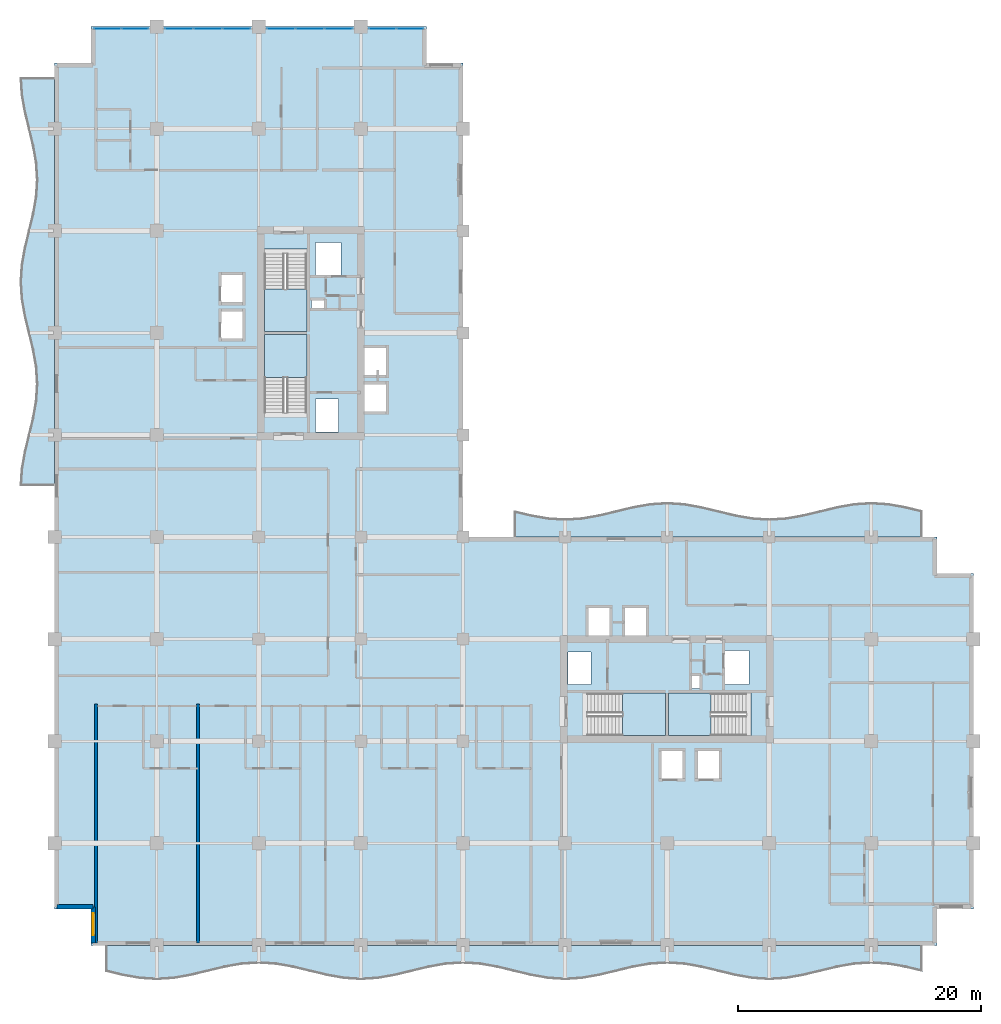
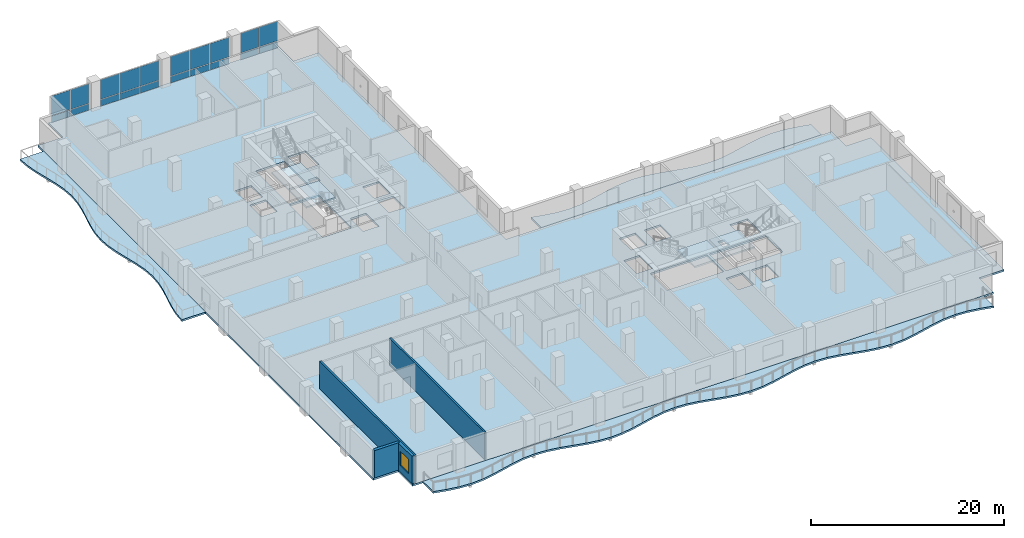
# One storey, part 6 of 18: 20 plates, 8 slabs, 4 walls, 1 window, 1 opening, 8 elements without a shape of their own.
"""IFC4 building model written with IfcOpenShell, lengths in metres."""

from ifc_helpers import new_model, si_unit, direction, frame, frame_2d, origin, origin_2d, place, context, subcontext, project, spatial, polyline, rectangle, outline, extrude, material, layer, layer_set, type_object, element, fill, aggregate, save


model = new_model("IFC4")

# Units and contexts
model_context = context("Model", 3, precision=1e-05, world=origin(), true_north=direction((0.0, 1.0)))
body_context = subcontext(model_context, "Body", "Model", "MODEL_VIEW")
ifc_project = project(units=[si_unit("LENGTHUNIT", "METRE"), si_unit("AREAUNIT", "SQUARE_METRE"), si_unit("VOLUMEUNIT", "CUBIC_METRE"), si_unit("PLANEANGLEUNIT", "RADIAN"), si_unit("MASSUNIT", "GRAM", prefix="KILO")], contexts=[model_context])

# Site, building, storey
site_placement = place(None, origin())
site = spatial("IfcSite", under=ifc_project, at=site_placement, CompositionType="ELEMENT")
building_placement = place(site_placement, origin())
building = spatial("IfcBuilding", under=site, at=building_placement, Name="Koriwani Terraces Tower", CompositionType="ELEMENT")
storey_placement = place(building_placement, frame((0.0, 0.0, 205.0)))
storey = spatial("IfcBuildingStorey", under=building, at=storey_placement, Name="L50", CompositionType="ELEMENT", Elevation=205.0)

# Curtain wall, plates
ifc_material_1 = material(Name="Anodised Bronze Aluminium", Category="aluminium")
ifc_layer_1 = layer(ifc_material_1, 0.169921875, Name="Anodised Bronze Aluminium")
ifc_layer_set_1 = layer_set([ifc_layer_1], Name="Anodised Bronze Aluminium")
curtain_wall_type = type_object("IfcCurtainWallType", Name="CW_RES_ZONE3", PredefinedType="NOTDEFINED", material=ifc_layer_set_1)
curtain_wall_1_placement = place(storey_placement, origin())
curtain_wall_1 = element("IfcCurtainWall", 1, at=curtain_wall_1_placement, inside=storey, type_object=curtain_wall_type, Name="L50 Unitised Curtain Wall (N_TIP) Bay 1", PredefinedType="NOTDEFINED")
ifc_material_2 = material(Name="Tempered Laminated Low-E Glass", Category="glass")
ifc_layer_2 = layer(ifc_material_2, 0.028076171875, Name="Tempered Laminated Low-E Glass")
ifc_layer_set_2 = layer_set([ifc_layer_2], Name="Tempered Laminated Low-E Glass")
plate_type = type_object("IfcPlateType", Name="CW_PANEL_VISION_28", PredefinedType="CURTAIN_PANEL", material=ifc_layer_set_2)
plate_1_placement = place(storey_placement, frame((4.347412109375, 75.425048828125, 0.06494140625), z_axis=(0.0, 0.0, 1.0), x_axis=(1.0, 0.0, 0.0)))
plate_1 = element("IfcPlate", 2, at=plate_1_placement, type_object=plate_type, Name="CW-Z3 panel 1.1", PredefinedType="CURTAIN_PANEL", context=body_context, shape_type="SweptSolid", body=[
    extrude(rectangle(XDim=2.195068359375, YDim=0.028076171875, at=origin_2d()), origin(), (0.0, 0.0, 1.0), 0.802490234375),
])
plate_2_placement = place(storey_placement, frame((4.347412109375, 75.425048828125, 0.9326171875), z_axis=(0.0, 0.0, 1.0), x_axis=(1.0, 0.0, 0.0)))
plate_2 = element("IfcPlate", 3, at=plate_2_placement, type_object=plate_type, Name="CW-Z3 panel 1.2", PredefinedType="CURTAIN_PANEL", context=body_context, shape_type="SweptSolid", body=[
    extrude(rectangle(XDim=2.195068359375, YDim=0.028076171875, at=origin_2d()), origin(), (0.0, 0.0, 1.0), 2.472412109375),
])
plate_3_placement = place(storey_placement, frame((6.617431640625, 75.425048828125, 0.06494140625), z_axis=(0.0, 0.0, 1.0), x_axis=(1.0, 0.0, 0.0)))
plate_3 = element("IfcPlate", 4, at=plate_3_placement, type_object=plate_type, Name="CW-Z3 panel 2.1", PredefinedType="CURTAIN_PANEL", context=body_context, shape_type="SweptSolid", body=[
    extrude(rectangle(XDim=2.195068359375, YDim=0.028076171875, at=origin_2d()), origin(), (0.0, 0.0, 1.0), 0.802490234375),
])
plate_4_placement = place(storey_placement, frame((6.617431640625, 75.425048828125, 0.9326171875), z_axis=(0.0, 0.0, 1.0), x_axis=(1.0, 0.0, 0.0)))
plate_4 = element("IfcPlate", 5, at=plate_4_placement, type_object=plate_type, Name="CW-Z3 panel 2.2", PredefinedType="CURTAIN_PANEL", context=body_context, shape_type="SweptSolid", body=[
    extrude(rectangle(XDim=2.195068359375, YDim=0.028076171875, at=origin_2d()), origin(), (0.0, 0.0, 1.0), 2.472412109375),
])
aggregate(curtain_wall_1, [plate_1, plate_2, plate_3, plate_4])

curtain_wall_2_placement = place(storey_placement, origin())
curtain_wall_2 = element("IfcCurtainWall", 6, at=curtain_wall_2_placement, inside=storey, type_object=curtain_wall_type, Name="L50 Unitised Curtain Wall (N_TIP) Bay 2", PredefinedType="NOTDEFINED")
plate_5_placement = place(storey_placement, frame((10.225341796875, 75.425048828125, 0.06494140625), z_axis=(0.0, 0.0, 1.0), x_axis=(1.0, 0.0, 0.0)))
plate_5 = element("IfcPlate", 7, at=plate_5_placement, type_object=plate_type, Name="CW-Z3 panel 1.1", PredefinedType="CURTAIN_PANEL", context=body_context, shape_type="SweptSolid", body=[
    extrude(rectangle(XDim=2.28076171875, YDim=0.028076171875, at=origin_2d()), origin(), (0.0, 0.0, 1.0), 0.802490234375),
])
plate_6_placement = place(storey_placement, frame((10.225341796875, 75.425048828125, 0.9326171875), z_axis=(0.0, 0.0, 1.0), x_axis=(1.0, 0.0, 0.0)))
plate_6 = element("IfcPlate", 8, at=plate_6_placement, type_object=plate_type, Name="CW-Z3 panel 1.2", PredefinedType="CURTAIN_PANEL", context=body_context, shape_type="SweptSolid", body=[
    extrude(rectangle(XDim=2.28076171875, YDim=0.028076171875, at=origin_2d()), origin(), (0.0, 0.0, 1.0), 2.472412109375),
])
plate_7_placement = place(storey_placement, frame((12.60009765625, 75.425048828125, 0.06494140625), z_axis=(0.0, 0.0, 1.0), x_axis=(1.0, 0.0, 0.0)))
plate_7 = element("IfcPlate", 9, at=plate_7_placement, type_object=plate_type, Name="CW-Z3 panel 2.1", PredefinedType="CURTAIN_PANEL", context=body_context, shape_type="SweptSolid", body=[
    extrude(rectangle(XDim=2.318359375, YDim=0.028076171875, at=origin_2d()), origin(), (0.0, 0.0, 1.0), 0.802490234375),
])
plate_8_placement = place(storey_placement, frame((12.60009765625, 75.425048828125, 0.9326171875), z_axis=(0.0, 0.0, 1.0), x_axis=(1.0, 0.0, 0.0)))
plate_8 = element("IfcPlate", 10, at=plate_8_placement, type_object=plate_type, Name="CW-Z3 panel 2.2", PredefinedType="CURTAIN_PANEL", context=body_context, shape_type="SweptSolid", body=[
    extrude(rectangle(XDim=2.318359375, YDim=0.028076171875, at=origin_2d()), origin(), (0.0, 0.0, 1.0), 2.472412109375),
])
plate_9_placement = place(storey_placement, frame((14.974609375, 75.425048828125, 0.06494140625), z_axis=(0.0, 0.0, 1.0), x_axis=(1.0, 0.0, 0.0)))
plate_9 = element("IfcPlate", 11, at=plate_9_placement, type_object=plate_type, Name="CW-Z3 panel 3.1", PredefinedType="CURTAIN_PANEL", context=body_context, shape_type="SweptSolid", body=[
    extrude(rectangle(XDim=2.28076171875, YDim=0.028076171875, at=origin_2d()), origin(), (0.0, 0.0, 1.0), 0.802490234375),
])
plate_10_placement = place(storey_placement, frame((14.974609375, 75.425048828125, 0.9326171875), z_axis=(0.0, 0.0, 1.0), x_axis=(1.0, 0.0, 0.0)))
plate_10 = element("IfcPlate", 12, at=plate_10_placement, type_object=plate_type, Name="CW-Z3 panel 3.2", PredefinedType="CURTAIN_PANEL", context=body_context, shape_type="SweptSolid", body=[
    extrude(rectangle(XDim=2.28076171875, YDim=0.028076171875, at=origin_2d()), origin(), (0.0, 0.0, 1.0), 2.472412109375),
])
aggregate(curtain_wall_2, [plate_5, plate_6, plate_7, plate_8, plate_9, plate_10])

curtain_wall_3_placement = place(storey_placement, origin())
curtain_wall_3 = element("IfcCurtainWall", 13, at=curtain_wall_3_placement, inside=storey, type_object=curtain_wall_type, Name="L50 Unitised Curtain Wall (N_TIP) Bay 3", PredefinedType="NOTDEFINED")
plate_11_placement = place(storey_placement, frame((18.62548828125, 75.425048828125, 0.06494140625), z_axis=(0.0, 0.0, 1.0), x_axis=(1.0, 0.0, 0.0)))
plate_11 = element("IfcPlate", 14, at=plate_11_placement, type_object=plate_type, Name="CW-Z3 panel 1.1", PredefinedType="CURTAIN_PANEL", context=body_context, shape_type="SweptSolid", body=[
    extrude(rectangle(XDim=2.28076171875, YDim=0.028076171875, at=origin_2d()), origin(), (0.0, 0.0, 1.0), 0.802490234375),
])
plate_12_placement = place(storey_placement, frame((18.62548828125, 75.425048828125, 0.9326171875), z_axis=(0.0, 0.0, 1.0), x_axis=(1.0, 0.0, 0.0)))
plate_12 = element("IfcPlate", 15, at=plate_12_placement, type_object=plate_type, Name="CW-Z3 panel 1.2", PredefinedType="CURTAIN_PANEL", context=body_context, shape_type="SweptSolid", body=[
    extrude(rectangle(XDim=2.28076171875, YDim=0.028076171875, at=origin_2d()), origin(), (0.0, 0.0, 1.0), 2.472412109375),
])
plate_13_placement = place(storey_placement, frame((21.0, 75.425048828125, 0.06494140625), z_axis=(0.0, 0.0, 1.0), x_axis=(1.0, 0.0, 0.0)))
plate_13 = element("IfcPlate", 16, at=plate_13_placement, type_object=plate_type, Name="CW-Z3 panel 2.1", PredefinedType="CURTAIN_PANEL", context=body_context, shape_type="SweptSolid", body=[
    extrude(rectangle(XDim=2.318359375, YDim=0.028076171875, at=origin_2d()), origin(), (0.0, 0.0, 1.0), 0.802490234375),
])
plate_14_placement = place(storey_placement, frame((21.0, 75.425048828125, 0.9326171875), z_axis=(0.0, 0.0, 1.0), x_axis=(1.0, 0.0, 0.0)))
plate_14 = element("IfcPlate", 17, at=plate_14_placement, type_object=plate_type, Name="CW-Z3 panel 2.2", PredefinedType="CURTAIN_PANEL", context=body_context, shape_type="SweptSolid", body=[
    extrude(rectangle(XDim=2.318359375, YDim=0.028076171875, at=origin_2d()), origin(), (0.0, 0.0, 1.0), 2.472412109375),
])
plate_15_placement = place(storey_placement, frame((23.37451171875, 75.425048828125, 0.06494140625), z_axis=(0.0, 0.0, 1.0), x_axis=(1.0, 0.0, 0.0)))
plate_15 = element("IfcPlate", 18, at=plate_15_placement, type_object=plate_type, Name="CW-Z3 panel 3.1", PredefinedType="CURTAIN_PANEL", context=body_context, shape_type="SweptSolid", body=[
    extrude(rectangle(XDim=2.28076171875, YDim=0.028076171875, at=origin_2d()), origin(), (0.0, 0.0, 1.0), 0.802490234375),
])
plate_16_placement = place(storey_placement, frame((23.37451171875, 75.425048828125, 0.9326171875), z_axis=(0.0, 0.0, 1.0), x_axis=(1.0, 0.0, 0.0)))
plate_16 = element("IfcPlate", 19, at=plate_16_placement, type_object=plate_type, Name="CW-Z3 panel 3.2", PredefinedType="CURTAIN_PANEL", context=body_context, shape_type="SweptSolid", body=[
    extrude(rectangle(XDim=2.28076171875, YDim=0.028076171875, at=origin_2d()), origin(), (0.0, 0.0, 1.0), 2.472412109375),
])
aggregate(curtain_wall_3, [plate_11, plate_12, plate_13, plate_14, plate_15, plate_16])

curtain_wall_4_placement = place(storey_placement, origin())
curtain_wall_4 = element("IfcCurtainWall", 20, at=curtain_wall_4_placement, inside=storey, type_object=curtain_wall_type, Name="L50 Unitised Curtain Wall (N_TIP) Bay 4", PredefinedType="NOTDEFINED")
plate_17_placement = place(storey_placement, frame((26.982421875, 75.425048828125, 0.06494140625), z_axis=(0.0, 0.0, 1.0), x_axis=(1.0, 0.0, 0.0)))
plate_17 = element("IfcPlate", 21, at=plate_17_placement, type_object=plate_type, Name="CW-Z3 panel 1.1", PredefinedType="CURTAIN_PANEL", context=body_context, shape_type="SweptSolid", body=[
    extrude(rectangle(XDim=2.195068359375, YDim=0.028076171875, at=origin_2d()), origin(), (0.0, 0.0, 1.0), 0.802490234375),
])
plate_18_placement = place(storey_placement, frame((26.982421875, 75.425048828125, 0.9326171875), z_axis=(0.0, 0.0, 1.0), x_axis=(1.0, 0.0, 0.0)))
plate_18 = element("IfcPlate", 22, at=plate_18_placement, type_object=plate_type, Name="CW-Z3 panel 1.2", PredefinedType="CURTAIN_PANEL", context=body_context, shape_type="SweptSolid", body=[
    extrude(rectangle(XDim=2.195068359375, YDim=0.028076171875, at=origin_2d()), origin(), (0.0, 0.0, 1.0), 2.472412109375),
])
plate_19_placement = place(storey_placement, frame((29.25244140625, 75.425048828125, 0.06494140625), z_axis=(0.0, 0.0, 1.0), x_axis=(1.0, 0.0, 0.0)))
plate_19 = element("IfcPlate", 23, at=plate_19_placement, type_object=plate_type, Name="CW-Z3 panel 2.1", PredefinedType="CURTAIN_PANEL", context=body_context, shape_type="SweptSolid", body=[
    extrude(rectangle(XDim=2.195068359375, YDim=0.028076171875, at=origin_2d()), origin(), (0.0, 0.0, 1.0), 0.802490234375),
])
plate_20_placement = place(storey_placement, frame((29.25244140625, 75.425048828125, 0.9326171875), z_axis=(0.0, 0.0, 1.0), x_axis=(1.0, 0.0, 0.0)))
plate_20 = element("IfcPlate", 24, at=plate_20_placement, type_object=plate_type, Name="CW-Z3 panel 2.2", PredefinedType="CURTAIN_PANEL", context=body_context, shape_type="SweptSolid", body=[
    extrude(rectangle(XDim=2.195068359375, YDim=0.028076171875, at=origin_2d()), origin(), (0.0, 0.0, 1.0), 2.472412109375),
])
aggregate(curtain_wall_4, [plate_17, plate_18, plate_19, plate_20])

# Slabs
ifc_material_3 = material(Name="Concrete C40/50", Category="concrete")
ifc_layer_3 = layer(ifc_material_3, 0.219970703125, Name="Concrete C40/50")
ifc_layer_set_3 = layer_set([ifc_layer_3], Name="Concrete C40/50")
slab_type_1 = type_object("IfcSlabType", Name="SLAB_BALCONY_220", PredefinedType="FLOOR", material=ifc_layer_set_3)
slab_1_placement = place(storey_placement, frame((0.0, 0.0, -0.219970703125)))
element("IfcSlab", 25, at=slab_1_placement, inside=storey, type_object=slab_type_1, Name="L50 Quilted Circular-Arc Balcony (S)", PredefinedType="FLOOR", context=body_context, shape_type="SweptSolid", body=[
    extrude(outline(polyline([(4.199951171875, 0.0), (5.60009765625, 0.0), (7.0, 0.0), (8.39990234375, 0.0), (9.800048828125, 0.0), (11.199951171875, 0.0), (12.60009765625, 0.0), (14.0, 0.0), (15.39990234375, 0.0), (16.800048828125, 0.0), (18.199951171875, 0.0), (19.60009765625, 0.0), (21.0, 0.0), (22.39990234375, 0.0), (23.800048828125, 0.0), (25.199951171875, 0.0), (26.60009765625, 0.0), (28.0, 0.0), (29.39990234375, 0.0), (30.800048828125, 0.0), (32.199951171875, 0.0), (33.60009765625, 0.0), (35.0, 0.0), (36.39990234375, 0.0), (37.800048828125, 0.0), (39.199951171875, 0.0), (40.60009765625, 0.0), (42.0, 0.0), (43.39990234375, 0.0), (44.800048828125, 0.0), (46.199951171875, 0.0), (47.60009765625, 0.0), (49.0, 0.0), (50.39990234375, 0.0), (51.800048828125, 0.0), (53.199951171875, 0.0), (54.60009765625, 0.0), (56.0, 0.0), (57.39990234375, 0.0), (58.800048828125, 0.0), (60.199951171875, 0.0), (61.60009765625, 0.0), (63.0, 0.0), (64.39990234375, 0.0), (65.800048828125, 0.0), (67.199951171875, 0.0), (68.60009765625, 0.0), (70.0, 0.0), (71.39990234375, 0.0), (71.39990234375, -2.175048828125), (70.0, -1.83740234375), (68.60009765625, -1.59033203125), (67.199951171875, -1.5), (65.800048828125, -1.59033203125), (64.39990234375, -1.83740234375), (63.0, -2.175048828125), (61.60009765625, -2.512451171875), (60.199951171875, -2.759521484375), (58.800048828125, -2.85009765625), (57.39990234375, -2.759521484375), (56.0, -2.512451171875), (54.60009765625, -2.175048828125), (53.199951171875, -1.83740234375), (51.800048828125, -1.59033203125), (50.39990234375, -1.5), (49.0, -1.59033203125), (47.60009765625, -1.83740234375), (46.199951171875, -2.175048828125), (44.800048828125, -2.512451171875), (43.39990234375, -2.759521484375), (42.0, -2.85009765625), (40.60009765625, -2.759521484375), (39.199951171875, -2.512451171875), (37.800048828125, -2.175048828125), (36.39990234375, -1.83740234375), (35.0, -1.59033203125), (33.60009765625, -1.5), (32.199951171875, -1.59033203125), (30.800048828125, -1.83740234375), (29.39990234375, -2.175048828125), (28.0, -2.512451171875), (26.60009765625, -2.759521484375), (25.199951171875, -2.85009765625), (23.800048828125, -2.759521484375), (22.39990234375, -2.512451171875), (21.0, -2.175048828125), (19.60009765625, -1.83740234375), (18.199951171875, -1.59033203125), (16.800048828125, -1.5), (15.39990234375, -1.59033203125), (14.0, -1.83740234375), (12.60009765625, -2.175048828125), (11.199951171875, -2.512451171875), (9.800048828125, -2.759521484375), (8.39990234375, -2.85009765625), (7.0, -2.759521484375), (5.60009765625, -2.512451171875), (4.199951171875, -2.175048828125), (4.199951171875, 0.0)])), origin(), (0.0, 0.0, 1.0), 0.219970703125),
])
slab_2_placement = place(storey_placement, frame((0.0, 0.0, -0.219970703125)))
element("IfcSlab", 26, at=slab_2_placement, inside=storey, type_object=slab_type_1, Name="L50 Quilted Circular-Arc Balcony (W)", PredefinedType="FLOOR", context=body_context, shape_type="SweptSolid", body=[
    extrude(outline(polyline([(0.0, 37.800048828125), (0.0, 39.199951171875), (0.0, 40.60009765625), (0.0, 42.0), (0.0, 43.39990234375), (0.0, 44.800048828125), (0.0, 46.199951171875), (0.0, 47.60009765625), (0.0, 49.0), (0.0, 50.39990234375), (0.0, 51.800048828125), (0.0, 53.199951171875), (0.0, 54.60009765625), (0.0, 56.0), (0.0, 57.39990234375), (0.0, 58.800048828125), (0.0, 60.199951171875), (0.0, 61.60009765625), (0.0, 63.0), (0.0, 64.39990234375), (0.0, 65.800048828125), (0.0, 67.199951171875), (0.0, 68.60009765625), (0.0, 70.0), (0.0, 71.39990234375), (-2.85009765625, 71.39990234375), (-2.759521484375, 70.0), (-2.512451171875, 68.60009765625), (-2.175048828125, 67.199951171875), (-1.83740234375, 65.800048828125), (-1.59033203125, 64.39990234375), (-1.5, 63.0), (-1.59033203125, 61.60009765625), (-1.83740234375, 60.199951171875), (-2.175048828125, 58.800048828125), (-2.512451171875, 57.39990234375), (-2.759521484375, 56.0), (-2.85009765625, 54.60009765625), (-2.759521484375, 53.199951171875), (-2.512451171875, 51.800048828125), (-2.175048828125, 50.39990234375), (-1.83740234375, 49.0), (-1.59033203125, 47.60009765625), (-1.5, 46.199951171875), (-1.59033203125, 44.800048828125), (-1.83740234375, 43.39990234375), (-2.175048828125, 42.0), (-2.512451171875, 40.60009765625), (-2.759521484375, 39.199951171875), (-2.85009765625, 37.800048828125), (0.0, 37.800048828125)])), origin(), (0.0, 0.0, 1.0), 0.219970703125),
])
slab_3_placement = place(storey_placement, frame((0.0, 0.0, -0.219970703125)))
element("IfcSlab", 27, at=slab_3_placement, inside=storey, type_object=slab_type_1, Name="L50 Quilted Circular-Arc Balcony (NE)", PredefinedType="FLOOR", context=body_context, shape_type="SweptSolid", body=[
    extrude(outline(polyline([(71.39990234375, 33.60009765625), (70.0, 33.60009765625), (68.60009765625, 33.60009765625), (67.199951171875, 33.60009765625), (65.800048828125, 33.60009765625), (64.39990234375, 33.60009765625), (63.0, 33.60009765625), (61.60009765625, 33.60009765625), (60.199951171875, 33.60009765625), (58.800048828125, 33.60009765625), (57.39990234375, 33.60009765625), (56.0, 33.60009765625), (54.60009765625, 33.60009765625), (53.199951171875, 33.60009765625), (51.800048828125, 33.60009765625), (50.39990234375, 33.60009765625), (49.0, 33.60009765625), (47.60009765625, 33.60009765625), (46.199951171875, 33.60009765625), (44.800048828125, 33.60009765625), (43.39990234375, 33.60009765625), (42.0, 33.60009765625), (40.60009765625, 33.60009765625), (39.199951171875, 33.60009765625), (37.800048828125, 33.60009765625), (37.800048828125, 35.77490234375), (39.199951171875, 35.4375), (40.60009765625, 35.1904296875), (42.0, 35.10009765625), (43.39990234375, 35.1904296875), (44.800048828125, 35.4375), (46.199951171875, 35.77490234375), (47.60009765625, 36.112548828125), (49.0, 36.359619140625), (50.39990234375, 36.449951171875), (51.800048828125, 36.359619140625), (53.199951171875, 36.112548828125), (54.60009765625, 35.77490234375), (56.0, 35.4375), (57.39990234375, 35.1904296875), (58.800048828125, 35.10009765625), (60.199951171875, 35.1904296875), (61.60009765625, 35.4375), (63.0, 35.77490234375), (64.39990234375, 36.112548828125), (65.800048828125, 36.359619140625), (67.199951171875, 36.449951171875), (68.60009765625, 36.359619140625), (70.0, 36.112548828125), (71.39990234375, 35.77490234375), (71.39990234375, 33.60009765625)])), origin(), (0.0, 0.0, 1.0), 0.219970703125),
])
ifc_layer_4 = layer(ifc_material_3, 0.22998046875, Name="Concrete C40/50")
ifc_layer_set_4 = layer_set([ifc_layer_4], Name="Concrete C40/50")
slab_type_2 = type_object("IfcSlabType", Name="SLAB_RES_TYP_230", PredefinedType="FLOOR", material=ifc_layer_set_4)
slab_4_placement = place(storey_placement, frame((0.0, 0.0, -0.22998046875)))
element("IfcSlab", 28, at=slab_4_placement, inside=storey, type_object=slab_type_2, Name="L50 Structural Floor Slab", PredefinedType="FLOOR", context=body_context, shape_type="SweptSolid", body=[
    extrude(outline(polyline([(3.0, 0.0), (72.60009765625, 0.0), (72.60009765625, 3.0), (75.60009765625, 3.0), (75.60009765625, 30.60009765625), (72.60009765625, 30.60009765625), (72.60009765625, 33.60009765625), (33.60009765625, 33.60009765625), (33.60009765625, 72.60009765625), (30.60009765625, 72.60009765625), (30.60009765625, 75.60009765625), (3.0, 75.60009765625), (3.0, 72.60009765625), (0.0, 72.60009765625), (0.0, 3.0), (3.0, 3.0), (3.0, 0.0)]), holes=[polyline([(17.25, 43.4599609375), (20.75, 43.4599609375), (20.75, 50.25), (17.25, 50.25), (17.25, 43.4599609375)]), polyline([(17.25, 50.5), (20.75, 50.5), (20.75, 57.2900390625), (17.25, 57.2900390625), (17.25, 50.5)]), polyline([(43.4599609375, 17.25), (50.25, 17.25), (50.25, 20.75), (43.4599609375, 20.75), (43.4599609375, 17.25)]), polyline([(50.5, 17.25), (57.2900390625, 17.25), (57.2900390625, 20.75), (50.5, 20.75), (50.5, 17.25)]), polyline([(13.64990234375, 49.85009765625), (15.550048828125, 49.85009765625), (15.550048828125, 52.25), (13.64990234375, 52.25), (13.64990234375, 49.85009765625)]), polyline([(13.64990234375, 52.85009765625), (15.550048828125, 52.85009765625), (15.550048828125, 55.25), (13.64990234375, 55.25), (13.64990234375, 52.85009765625)]), polyline([(49.85009765625, 13.64990234375), (51.75, 13.64990234375), (51.75, 16.050048828125), (49.85009765625, 16.050048828125), (49.85009765625, 13.64990234375)]), polyline([(52.85009765625, 13.64990234375), (54.75, 13.64990234375), (54.75, 16.050048828125), (52.85009765625, 16.050048828125), (52.85009765625, 13.64990234375)]), polyline([(25.449951171875, 43.85009765625), (27.35009765625, 43.85009765625), (27.35009765625, 46.25), (25.449951171875, 46.25), (25.449951171875, 43.85009765625)]), polyline([(25.449951171875, 46.85009765625), (27.35009765625, 46.85009765625), (27.35009765625, 49.25), (25.449951171875, 49.25), (25.449951171875, 46.85009765625)]), polyline([(43.85009765625, 25.449951171875), (45.75, 25.449951171875), (45.75, 27.85009765625), (43.85009765625, 27.85009765625), (43.85009765625, 25.449951171875)]), polyline([(46.85009765625, 25.449951171875), (48.75, 25.449951171875), (48.75, 27.85009765625), (46.85009765625, 27.85009765625), (46.85009765625, 25.449951171875)]), polyline([(21.449951171875, 55.050048828125), (23.550048828125, 55.050048828125), (23.550048828125, 57.85009765625), (21.449951171875, 57.85009765625), (21.449951171875, 55.050048828125)]), polyline([(55.050048828125, 21.449951171875), (57.14990234375, 21.449951171875), (57.14990234375, 24.25), (55.050048828125, 24.25), (55.050048828125, 21.449951171875)]), polyline([(21.449951171875, 42.25), (23.35009765625, 42.25), (23.35009765625, 44.949951171875), (21.449951171875, 44.949951171875), (21.449951171875, 42.25)]), polyline([(42.25, 21.449951171875), (44.14990234375, 21.449951171875), (44.14990234375, 24.14990234375), (42.25, 24.14990234375), (42.25, 21.449951171875)]), polyline([(21.14990234375, 52.419921875), (22.219970703125, 52.419921875), (22.219970703125, 53.179931640625), (21.14990234375, 53.179931640625), (21.14990234375, 52.419921875)]), polyline([(52.419921875, 21.14990234375), (53.179931640625, 21.14990234375), (53.179931640625, 22.219970703125), (52.419921875, 22.219970703125), (52.419921875, 21.14990234375)])]), origin(), (0.0, 0.0, 1.0), 0.22998046875),
])

# Stair, slab
stair_type = type_object("IfcStairType", Name="STAIR_CORE_DOGLEG_1650", PredefinedType="TWO_STRAIGHT_RUN_STAIR", material=ifc_material_3)
stair_1_placement = place(storey_placement, origin())
stair_1 = element("IfcStair", 29, at=stair_1_placement, inside=storey, type_object=stair_type, Name="L50 West Core Exit Stair 1", PredefinedType="HALF_TURN_STAIR")
ifc_layer_5 = layer(ifc_material_3, 0.199951171875, Name="Concrete C40/50")
ifc_layer_set_5 = layer_set([ifc_layer_5], Name="Concrete C40/50")
slab_type_3 = type_object("IfcSlabType", Name="SLAB_STAIR_LANDING_200", PredefinedType="LANDING", material=ifc_layer_set_5)
slab_5_placement = place(storey_placement, frame((0.0, 0.0, 1.64990234375)))
slab_5 = element("IfcSlab", 30, at=slab_5_placement, type_object=slab_type_3, Name="ST-W1 landing 1", PredefinedType="LANDING", context=body_context, shape_type="SweptSolid", body=[
    extrude(outline(polyline([(20.75, 46.75), (20.75, 50.25), (17.25, 50.25), (17.25, 46.75), (20.75, 46.75)])), origin(), (0.0, 0.0, 1.0), 0.2001953125),
])
aggregate(stair_1, [slab_5])

stair_2_placement = place(storey_placement, origin())
stair_2 = element("IfcStair", 31, at=stair_2_placement, inside=storey, type_object=stair_type, Name="L50 West Core Exit Stair 2", PredefinedType="HALF_TURN_STAIR")
slab_6_placement = place(storey_placement, frame((0.0, 0.0, 1.64990234375)))
slab_6 = element("IfcSlab", 32, at=slab_6_placement, type_object=slab_type_3, Name="ST-W2 landing 1", PredefinedType="LANDING", context=body_context, shape_type="SweptSolid", body=[
    extrude(outline(polyline([(17.25, 54.0), (17.25, 50.5), (20.75, 50.5), (20.75, 54.0), (17.25, 54.0)])), origin(), (0.0, 0.0, 1.0), 0.2001953125),
])
aggregate(stair_2, [slab_6])

stair_3_placement = place(storey_placement, origin())
stair_3 = element("IfcStair", 33, at=stair_3_placement, inside=storey, type_object=stair_type, Name="L50 East Core Exit Stair 1", PredefinedType="HALF_TURN_STAIR")
slab_7_placement = place(storey_placement, frame((0.0, 0.0, 1.64990234375)))
slab_7 = element("IfcSlab", 34, at=slab_7_placement, type_object=slab_type_3, Name="ST-E1 landing 1", PredefinedType="LANDING", context=body_context, shape_type="SweptSolid", body=[
    extrude(outline(polyline([(46.75, 17.25), (50.25, 17.25), (50.25, 20.75), (46.75, 20.75), (46.75, 17.25)])), origin(), (0.0, 0.0, 1.0), 0.2001953125),
])
aggregate(stair_3, [slab_7])

stair_4_placement = place(storey_placement, origin())
stair_4 = element("IfcStair", 35, at=stair_4_placement, inside=storey, type_object=stair_type, Name="L50 East Core Exit Stair 2", PredefinedType="HALF_TURN_STAIR")
slab_8_placement = place(storey_placement, frame((0.0, 0.0, 1.64990234375)))
slab_8 = element("IfcSlab", 36, at=slab_8_placement, type_object=slab_type_3, Name="ST-E2 landing 1", PredefinedType="LANDING", context=body_context, shape_type="SweptSolid", body=[
    extrude(outline(polyline([(54.0, 20.75), (50.5, 20.75), (50.5, 17.25), (54.0, 17.25), (54.0, 20.75)])), origin(), (0.0, 0.0, 1.0), 0.2001953125),
])
aggregate(stair_4, [slab_8])

# Walls
ifc_material_4 = material(Name="Autoclaved Cellular Concrete Blockwork", Category="masonry")
ifc_layer_6 = layer(ifc_material_4, 0.219970703125, Name="Autoclaved Cellular Concrete Blockwork")
ifc_layer_set_6 = layer_set([ifc_layer_6], Name="Autoclaved Cellular Concrete Blockwork")
wall_type_1 = type_object("IfcWallType", Name="WALL_DEMISING_220", PredefinedType="PARTITIONING", material=ifc_layer_set_6)
for number, where, z_axis, x_axis, name in (
    (37, (3.39990234375, 0.199951171875, 0.0), (0.0, 0.0, 1.0), (0.0, 1.0, 0.0), "L50 Interior Wall WRDEM-L50-SW-0"),
    (38, (11.800048828125, 0.199951171875, 0.0), (0.0, 0.0, 1.0), (0.0, 1.0, 0.0), "L50 Interior Wall WRDEM-L50-SW-1"),
):
    element("IfcWall", number, at=place(storey_placement, frame(where, z_axis=z_axis, x_axis=x_axis)), inside=storey, type_object=wall_type_1, Name=name, PredefinedType="PARTITIONING", context=body_context, shape_type="SweptSolid", body=[
        extrude(rectangle(XDim=19.679931640625, YDim=0.219970703125, at=frame_2d((9.83984375, 0.0))), origin(), (0.0, 0.0, 1.0), 3.469970703125),
    ])

# Wall, opening, window
ifc_material_5 = material(Name="Concrete C50/60", Category="concrete")
ifc_layer_7 = layer(ifc_material_5, 0.35009765625, Name="Concrete C50/60")
ifc_layer_set_7 = layer_set([ifc_layer_7], Name="Concrete C50/60")
wall_type_2 = type_object("IfcWallType", Name="WALL_EXT_BRUTALIST_350", PredefinedType="STANDARD", material=ifc_layer_set_7)
wall_1_placement = place(storey_placement, frame((3.175048828125, 0.175048828125, 0.0), z_axis=(0.0, 0.0, 1.0), x_axis=(0.0, 1.0, 0.0)))
wall_1 = element("IfcWall", 39, at=wall_1_placement, inside=storey, type_object=wall_type_2, Name="L50 Fair-Faced Brutalist Exterior Wall (N0)", PredefinedType="STANDARD", context=body_context, shape_type="SweptSolid", body=[
    extrude(rectangle(XDim=3.0, YDim=0.35009765625, at=frame_2d((1.5, 0.0))), origin(), (0.0, 0.0, 1.0), 3.469970703125),
])
opening_placement = place(wall_1_placement, frame((0.677490234375, 0.0, 0.85009765625)))
opening = element("IfcOpeningElement", 40, at=opening_placement, cuts=wall_1, Name="Opening W-04", PredefinedType="OPENING", context=body_context, shape_type="SweptSolid", body=[
    extrude(rectangle(XDim=1.800048828125, YDim=1.800048828125, at=frame_2d((0.89990234375, 0.89990234375))), frame((0.0, 0.18505859375, 0.0), z_axis=(0.0, -1.0, 0.0), x_axis=(1.0, 0.0, 0.0)), (0.0, 0.0, 1.0), 0.3701171875),
])
window_type = type_object("IfcWindowType", Name="WIN_RES_BED_1800X1800", PartitioningType="DOUBLE_PANEL_VERTICAL", PredefinedType="WINDOW", material=ifc_material_2)
window_placement = place(opening_placement, origin())
window = element("IfcWindow", 41, at=window_placement, inside=storey, type_object=window_type, Name="L50 Exterior Window (N0-R34)", OverallHeight=1.800048828125, OverallWidth=1.800048828125, PartitioningType="SINGLE_PANEL", PredefinedType="WINDOW", context=body_context, shape_type="SweptSolid", body=[
    extrude(rectangle(XDim=1.800048828125, YDim=1.800048828125, at=frame_2d((0.89990234375, 0.89990234375))), frame((0.0, 0.030029296875, 0.0), z_axis=(0.0, -1.0, 0.0), x_axis=(1.0, 0.0, 0.0)), (0.0, 0.0, 1.0), 0.06005859375),
])
fill(opening, window)

# Wall
wall_2_placement = place(storey_placement, frame((3.175048828125, 3.175048828125, 0.0), z_axis=(0.0, 0.0, 1.0), x_axis=(-1.0, 0.0, 0.0)))
element("IfcWall", 42, at=wall_2_placement, inside=storey, type_object=wall_type_2, Name="L50 Fair-Faced Brutalist Exterior Wall (N1)", PredefinedType="STANDARD", context=body_context, shape_type="SweptSolid", body=[
    extrude(rectangle(XDim=3.0, YDim=0.35009765625, at=frame_2d((1.5, 0.0))), origin(), (0.0, 0.0, 1.0), 3.469970703125),
])

save(model, "model.ifc")
